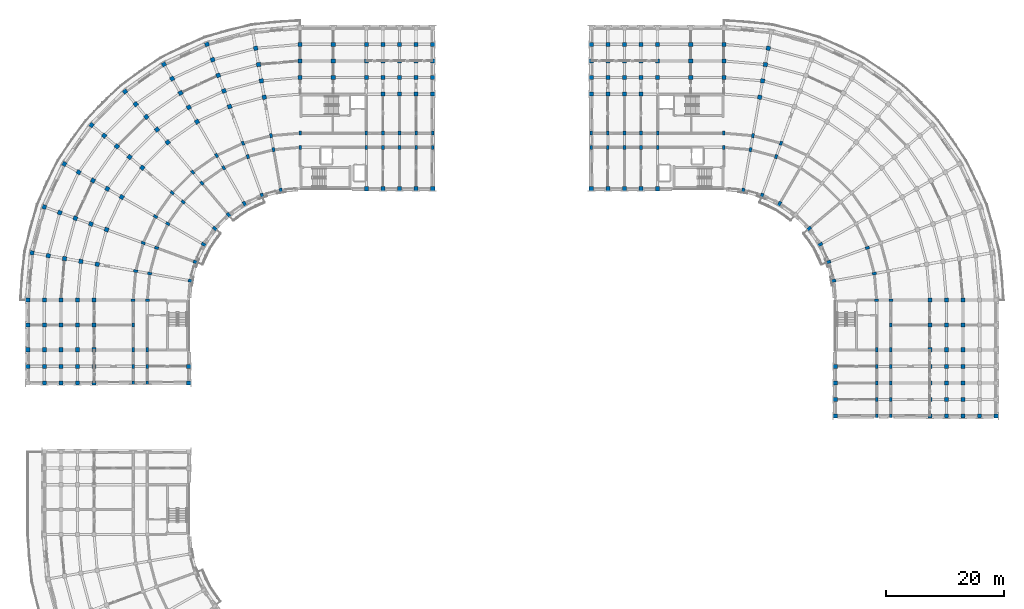
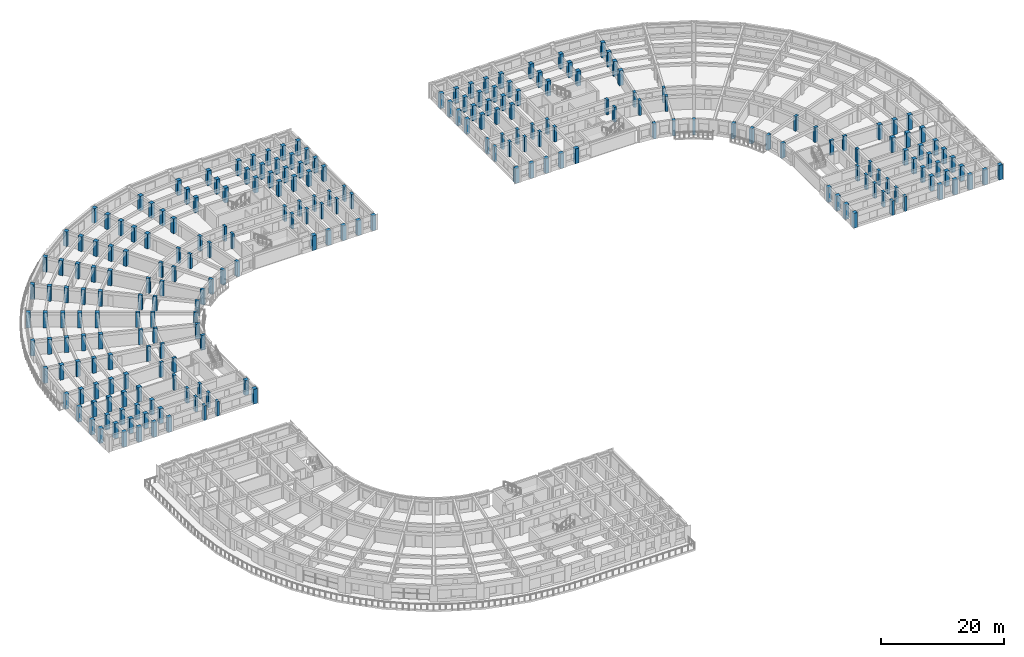
# One storey, part 2 of 57: 239 columns.
"""IFC4 building model written with IfcOpenShell, lengths in metres."""

from ifc_helpers import new_model, si_unit, direction, frame, origin, origin_2d, place, context, subcontext, project, spatial, rectangle, extrude, material, material_profile, profile_set, type_object, element, save


model = new_model("IFC4")

# Units and contexts
model_context = context("Model", 3, precision=1e-05, world=origin(), true_north=direction((0.0, 1.0)))
body_context = subcontext(model_context, "Body", "Model", "MODEL_VIEW")
ifc_project = project(units=[si_unit("LENGTHUNIT", "METRE"), si_unit("AREAUNIT", "SQUARE_METRE"), si_unit("VOLUMEUNIT", "CUBIC_METRE"), si_unit("PLANEANGLEUNIT", "RADIAN"), si_unit("MASSUNIT", "GRAM", prefix="KILO")], contexts=[model_context])

# Site, building, storey
site_placement = place(None, origin())
site = spatial("IfcSite", under=ifc_project, at=site_placement, CompositionType="ELEMENT")
building_placement = place(site_placement, origin())
building = spatial("IfcBuilding", under=site, at=building_placement, Name="Kiranvali Square Residences", CompositionType="ELEMENT")
storey_placement = place(building_placement, frame((0.0, 0.0, 21.300048828125)))
storey = spatial("IfcBuildingStorey", under=building, at=storey_placement, Name="L06", CompositionType="ELEMENT", Elevation=21.300048828125)

# Columns
ifc_material_1 = material(Name="Concrete M45 (45 MPa)", Category="concrete")
ifc_material_profile_1 = material_profile(ifc_material_1, rectangle(XDim=0.699951171875, YDim=0.699951171875, at=origin_2d()), Name="RC 700x700")
ifc_profile_set_1 = profile_set([ifc_material_profile_1], Name="Concrete M45 (45 MPa)")
column_type_1 = type_object("IfcColumnType", Name="COL-M45-700", PredefinedType="COLUMN", material=ifc_profile_set_1)
for number, where, z_axis, x_axis, name in (
    (1, (48.199951171875, 125.39990234375, 0.0), (0.0, 0.0, 1.0), (1.0, 0.0, 0.0), "Block A L06 radial column A00-R4"),
    (2, (48.199951171875, 128.199951171875, 0.0), (0.0, 0.0, 1.0), (1.0, 0.0, 0.0), "Block A L06 radial column A00-R5"),
    (3, (48.199951171875, 131.0, 0.0), (0.0, 0.0, 1.0), (1.0, 0.0, 0.0), "Block A L06 radial column A00-R6"),
    (4, (42.156982421875, 122.0712890625, 0.0), (0.0, 0.0, 1.0), (0.984807753012, 0.173648177667, 0.0), "Block A L06 radial column A01-R3"),
    (5, (41.6708984375, 124.828857421875, 0.0), (0.0, 0.0, 1.0), (0.984807753012, 0.173648177667, 0.0), "Block A L06 radial column A01-R4"),
    (6, (41.1845703125, 127.586181640625, 0.0), (0.0, 0.0, 1.0), (0.984807753012, 0.173648177667, 0.0), "Block A L06 radial column A01-R5"),
    (7, (40.698486328125, 130.34375, 0.0), (0.0, 0.0, 1.0), (0.984807753012, 0.173648177667, 0.0), "Block A L06 radial column A01-R6"),
    (8, (36.297607421875, 120.501220703125, 0.0), (0.0, 0.0, 1.0), (0.939692620786, 0.342020143326, 0.0), "Block A L06 radial column A02-R3"),
    (9, (35.340087890625, 123.13232421875, 0.0), (0.0, 0.0, 1.0), (0.939692620786, 0.342020143326, 0.0), "Block A L06 radial column A02-R4"),
    (10, (34.38232421875, 125.763671875, 0.0), (0.0, 0.0, 1.0), (0.939692620786, 0.342020143326, 0.0), "Block A L06 radial column A02-R5"),
    (11, (33.4248046875, 128.394775390625, 0.0), (0.0, 0.0, 1.0), (0.939692620786, 0.342020143326, 0.0), "Block A L06 radial column A02-R6"),
    (12, (32.467041015625, 131.02587890625, 0.0), (0.0, 0.0, 1.0), (0.939692620786, 0.342020143326, 0.0), "Block A L06 radial column A02-R7"),
    (13, (30.800048828125, 117.937744140625, 0.0), (0.0, 0.0, 1.0), (0.866025403784, 0.5, 0.0), "Block A L06 radial column A03-R3"),
    (14, (29.39990234375, 120.362548828125, 0.0), (0.0, 0.0, 1.0), (0.866025403784, 0.5, 0.0), "Block A L06 radial column A03-R4"),
    (15, (28.0, 122.787353515625, 0.0), (0.0, 0.0, 1.0), (0.866025403784, 0.5, 0.0), "Block A L06 radial column A03-R5"),
    (16, (26.60009765625, 125.21240234375, 0.0), (0.0, 0.0, 1.0), (0.866025403784, 0.5, 0.0), "Block A L06 radial column A03-R6"),
    (17, (25.199951171875, 127.63720703125, 0.0), (0.0, 0.0, 1.0), (0.866025403784, 0.5, 0.0), "Block A L06 radial column A03-R7"),
    (18, (25.8310546875, 114.458251953125, 0.0), (0.0, 0.0, 1.0), (0.766044443119, 0.642787609687, 0.0), "Block A L06 radial column A04-R3"),
    (19, (24.03125, 116.603271484375, 0.0), (0.0, 0.0, 1.0), (0.766044443119, 0.642787609687, 0.0), "Block A L06 radial column A04-R4"),
    (20, (22.2314453125, 118.748291015625, 0.0), (0.0, 0.0, 1.0), (0.766044443119, 0.642787609687, 0.0), "Block A L06 radial column A04-R5"),
    (21, (20.431640625, 120.89306640625, 0.0), (0.0, 0.0, 1.0), (0.766044443119, 0.642787609687, 0.0), "Block A L06 radial column A04-R6"),
    (22, (18.6318359375, 123.0380859375, 0.0), (0.0, 0.0, 1.0), (0.766044443119, 0.642787609687, 0.0), "Block A L06 radial column A04-R7"),
    (23, (21.541748046875, 110.1689453125, 0.0), (0.0, 0.0, 1.0), (0.642787609687, 0.766044443119, 0.0), "Block A L06 radial column A05-R3"),
    (24, (19.396728515625, 111.96875, 0.0), (0.0, 0.0, 1.0), (0.642787609687, 0.766044443119, 0.0), "Block A L06 radial column A05-R4"),
    (25, (17.251708984375, 113.7685546875, 0.0), (0.0, 0.0, 1.0), (0.642787609687, 0.766044443119, 0.0), "Block A L06 radial column A05-R5"),
    (26, (15.10693359375, 115.568359375, 0.0), (0.0, 0.0, 1.0), (0.642787609687, 0.766044443119, 0.0), "Block A L06 radial column A05-R6"),
    (27, (12.9619140625, 117.3681640625, 0.0), (0.0, 0.0, 1.0), (0.642787609687, 0.766044443119, 0.0), "Block A L06 radial column A05-R7"),
    (28, (18.062255859375, 105.199951171875, 0.0), (0.0, 0.0, 1.0), (0.5, 0.866025403784, 0.0), "Block A L06 radial column A06-R3"),
    (29, (15.637451171875, 106.60009765625, 0.0), (0.0, 0.0, 1.0), (0.5, 0.866025403784, 0.0), "Block A L06 radial column A06-R4"),
    (30, (13.212646484375, 108.0, 0.0), (0.0, 0.0, 1.0), (0.5, 0.866025403784, 0.0), "Block A L06 radial column A06-R5"),
    (31, (10.78759765625, 109.39990234375, 0.0), (0.0, 0.0, 1.0), (0.5, 0.866025403784, 0.0), "Block A L06 radial column A06-R6"),
    (32, (8.36279296875, 110.800048828125, 0.0), (0.0, 0.0, 1.0), (0.5, 0.866025403784, 0.0), "Block A L06 radial column A06-R7"),
    (33, (15.498779296875, 99.702392578125, 0.0), (0.0, 0.0, 1.0), (0.342020143326, 0.939692620786, 0.0), "Block A L06 radial column A07-R3"),
    (34, (12.86767578125, 100.659912109375, 0.0), (0.0, 0.0, 1.0), (0.342020143326, 0.939692620786, 0.0), "Block A L06 radial column A07-R4"),
    (35, (10.236328125, 101.61767578125, 0.0), (0.0, 0.0, 1.0), (0.342020143326, 0.939692620786, 0.0), "Block A L06 radial column A07-R5"),
    (36, (7.605224609375, 102.5751953125, 0.0), (0.0, 0.0, 1.0), (0.342020143326, 0.939692620786, 0.0), "Block A L06 radial column A07-R6"),
    (37, (4.97412109375, 103.532958984375, 0.0), (0.0, 0.0, 1.0), (0.342020143326, 0.939692620786, 0.0), "Block A L06 radial column A07-R7"),
    (38, (13.9287109375, 93.843017578125, 0.0), (0.0, 0.0, 1.0), (0.173648177667, 0.984807753012, 0.0), "Block A L06 radial column A08-R3"),
    (39, (11.171142578125, 94.3291015625, 0.0), (0.0, 0.0, 1.0), (0.173648177667, 0.984807753012, 0.0), "Block A L06 radial column A08-R4"),
    (40, (8.413818359375, 94.8154296875, 0.0), (0.0, 0.0, 1.0), (0.173648177667, 0.984807753012, 0.0), "Block A L06 radial column A08-R5"),
    (41, (5.65625, 95.301513671875, 0.0), (0.0, 0.0, 1.0), (0.173648177667, 0.984807753012, 0.0), "Block A L06 radial column A08-R6"),
    (42, (2.89892578125, 95.787841796875, 0.0), (0.0, 0.0, 1.0), (0.173648177667, 0.984807753012, 0.0), "Block A L06 radial column A08-R7"),
    (43, (13.39990234375, 87.800048828125, 0.0), (0.0, 0.0, 1.0), (0.0, 1.0, 0.0), "Block A L06 radial column A09-R3"),
    (44, (10.60009765625, 87.800048828125, 0.0), (0.0, 0.0, 1.0), (0.0, 1.0, 0.0), "Block A L06 radial column A09-R4"),
    (45, (7.800048828125, 87.800048828125, 0.0), (0.0, 0.0, 1.0), (0.0, 1.0, 0.0), "Block A L06 radial column A09-R5"),
    (46, (5.0, 87.800048828125, 0.0), (0.0, 0.0, 1.0), (0.0, 1.0, 0.0), "Block A L06 radial column A09-R6"),
    (47, (2.199951171875, 87.800048828125, 0.0), (0.0, 0.0, 1.0), (0.0, 1.0, 0.0), "Block A L06 radial column A09-R7"),
    (48, (53.800048828125, 125.39990234375, 0.0), (0.0, 0.0, 1.0), (1.0, 0.0, 0.0), "Block A L06 core-front column U0-R4"),
    (49, (53.800048828125, 128.199951171875, 0.0), (0.0, 0.0, 1.0), (1.0, 0.0, 0.0), "Block A L06 core-front column U0-R5"),
    (50, (53.800048828125, 131.0, 0.0), (0.0, 0.0, 1.0), (1.0, 0.0, 0.0), "Block A L06 core-front column U0-R6"),
    (51, (59.39990234375, 106.60009765625, 0.0), (0.0, 0.0, 1.0), (1.0, 0.0, 0.0), "Block A L06 Arm 1 column U1-R0"),
    (52, (59.39990234375, 125.39990234375, 0.0), (0.0, 0.0, 1.0), (1.0, 0.0, 0.0), "Block A L06 Arm 1 column U1-R4"),
    (53, (59.39990234375, 128.199951171875, 0.0), (0.0, 0.0, 1.0), (1.0, 0.0, 0.0), "Block A L06 Arm 1 column U1-R5"),
    (54, (59.39990234375, 131.0, 0.0), (0.0, 0.0, 1.0), (1.0, 0.0, 0.0), "Block A L06 Arm 1 column U1-R6"),
    (55, (62.199951171875, 106.60009765625, 0.0), (0.0, 0.0, 1.0), (1.0, 0.0, 0.0), "Block A L06 Arm 1 column U2-R0"),
    (56, (62.199951171875, 122.60009765625, 0.0), (0.0, 0.0, 1.0), (1.0, 0.0, 0.0), "Block A L06 Arm 1 column U2-R3"),
    (57, (62.199951171875, 125.39990234375, 0.0), (0.0, 0.0, 1.0), (1.0, 0.0, 0.0), "Block A L06 Arm 1 column U2-R4"),
    (58, (62.199951171875, 128.199951171875, 0.0), (0.0, 0.0, 1.0), (1.0, 0.0, 0.0), "Block A L06 Arm 1 column U2-R5"),
    (59, (62.199951171875, 131.0, 0.0), (0.0, 0.0, 1.0), (1.0, 0.0, 0.0), "Block A L06 Arm 1 column U2-R6"),
    (60, (65.0, 106.60009765625, 0.0), (0.0, 0.0, 1.0), (1.0, 0.0, 0.0), "Block A L06 Arm 1 column U3-R0"),
    (61, (65.0, 122.60009765625, 0.0), (0.0, 0.0, 1.0), (1.0, 0.0, 0.0), "Block A L06 Arm 1 column U3-R3"),
    (62, (65.0, 125.39990234375, 0.0), (0.0, 0.0, 1.0), (1.0, 0.0, 0.0), "Block A L06 Arm 1 column U3-R4"),
    (63, (65.0, 128.199951171875, 0.0), (0.0, 0.0, 1.0), (1.0, 0.0, 0.0), "Block A L06 Arm 1 column U3-R5"),
    (64, (65.0, 131.0, 0.0), (0.0, 0.0, 1.0), (1.0, 0.0, 0.0), "Block A L06 Arm 1 column U3-R6"),
    (65, (67.800048828125, 106.60009765625, 0.0), (0.0, 0.0, 1.0), (1.0, 0.0, 0.0), "Block A L06 Arm 1 column U4-R0"),
    (66, (67.800048828125, 122.60009765625, 0.0), (0.0, 0.0, 1.0), (1.0, 0.0, 0.0), "Block A L06 Arm 1 column U4-R3"),
    (67, (67.800048828125, 125.39990234375, 0.0), (0.0, 0.0, 1.0), (1.0, 0.0, 0.0), "Block A L06 Arm 1 column U4-R4"),
    (68, (67.800048828125, 128.199951171875, 0.0), (0.0, 0.0, 1.0), (1.0, 0.0, 0.0), "Block A L06 Arm 1 column U4-R5"),
    (69, (67.800048828125, 131.0, 0.0), (0.0, 0.0, 1.0), (1.0, 0.0, 0.0), "Block A L06 Arm 1 column U4-R6"),
    (70, (70.60009765625, 106.60009765625, 0.0), (0.0, 0.0, 1.0), (1.0, 0.0, 0.0), "Block A L06 Arm 1 column U5-R0"),
    (71, (70.60009765625, 122.60009765625, 0.0), (0.0, 0.0, 1.0), (1.0, 0.0, 0.0), "Block A L06 Arm 1 column U5-R3"),
    (72, (70.60009765625, 125.39990234375, 0.0), (0.0, 0.0, 1.0), (1.0, 0.0, 0.0), "Block A L06 Arm 1 column U5-R4"),
    (73, (70.60009765625, 128.199951171875, 0.0), (0.0, 0.0, 1.0), (1.0, 0.0, 0.0), "Block A L06 Arm 1 column U5-R5"),
    (74, (70.60009765625, 131.0, 0.0), (0.0, 0.0, 1.0), (1.0, 0.0, 0.0), "Block A L06 Arm 1 column U5-R6"),
    (75, (13.39990234375, 83.60009765625, 0.0), (0.0, 0.0, 1.0), (1.0, 0.0, 0.0), "Block A L06 Arm 2 mid-core column V0-R3"),
    (76, (10.60009765625, 83.60009765625, 0.0), (0.0, 0.0, 1.0), (1.0, 0.0, 0.0), "Block A L06 Arm 2 mid-core column V0-R4"),
    (77, (7.800048828125, 83.60009765625, 0.0), (0.0, 0.0, 1.0), (1.0, 0.0, 0.0), "Block A L06 Arm 2 mid-core column V0-R5"),
    (78, (5.0, 83.60009765625, 0.0), (0.0, 0.0, 1.0), (1.0, 0.0, 0.0), "Block A L06 Arm 2 mid-core column V0-R6"),
    (79, (2.199951171875, 83.60009765625, 0.0), (0.0, 0.0, 1.0), (1.0, 0.0, 0.0), "Block A L06 Arm 2 mid-core column V0-R7"),
    (80, (13.39990234375, 79.39990234375, 0.0), (0.0, 0.0, 1.0), (1.0, 0.0, 0.0), "Block A L06 Arm 2 column V1-R3"),
    (81, (10.60009765625, 79.39990234375, 0.0), (0.0, 0.0, 1.0), (1.0, 0.0, 0.0), "Block A L06 Arm 2 column V1-R4"),
    (82, (7.800048828125, 79.39990234375, 0.0), (0.0, 0.0, 1.0), (1.0, 0.0, 0.0), "Block A L06 Arm 2 column V1-R5"),
    (83, (5.0, 79.39990234375, 0.0), (0.0, 0.0, 1.0), (1.0, 0.0, 0.0), "Block A L06 Arm 2 column V1-R6"),
    (84, (2.199951171875, 79.39990234375, 0.0), (0.0, 0.0, 1.0), (1.0, 0.0, 0.0), "Block A L06 Arm 2 column V1-R7"),
    (85, (29.39990234375, 76.60009765625, 0.0), (0.0, 0.0, 1.0), (1.0, 0.0, 0.0), "Block A L06 Arm 2 column V2-R0"),
    (86, (13.39990234375, 76.60009765625, 0.0), (0.0, 0.0, 1.0), (1.0, 0.0, 0.0), "Block A L06 Arm 2 column V2-R3"),
    (87, (10.60009765625, 76.60009765625, 0.0), (0.0, 0.0, 1.0), (1.0, 0.0, 0.0), "Block A L06 Arm 2 column V2-R4"),
    (88, (7.800048828125, 76.60009765625, 0.0), (0.0, 0.0, 1.0), (1.0, 0.0, 0.0), "Block A L06 Arm 2 column V2-R5"),
    (89, (5.0, 76.60009765625, 0.0), (0.0, 0.0, 1.0), (1.0, 0.0, 0.0), "Block A L06 Arm 2 column V2-R6"),
    (90, (2.199951171875, 76.60009765625, 0.0), (0.0, 0.0, 1.0), (1.0, 0.0, 0.0), "Block A L06 Arm 2 column V2-R7"),
    (91, (29.39990234375, 73.800048828125, 0.0), (0.0, 0.0, 1.0), (1.0, 0.0, 0.0), "Block A L06 Arm 2 column V3-R0"),
    (92, (13.39990234375, 73.800048828125, 0.0), (0.0, 0.0, 1.0), (1.0, 0.0, 0.0), "Block A L06 Arm 2 column V3-R3"),
    (93, (10.60009765625, 73.800048828125, 0.0), (0.0, 0.0, 1.0), (1.0, 0.0, 0.0), "Block A L06 Arm 2 column V3-R4"),
    (94, (7.800048828125, 73.800048828125, 0.0), (0.0, 0.0, 1.0), (1.0, 0.0, 0.0), "Block A L06 Arm 2 column V3-R5"),
    (95, (5.0, 73.800048828125, 0.0), (0.0, 0.0, 1.0), (1.0, 0.0, 0.0), "Block A L06 Arm 2 column V3-R6"),
    (96, (119.800048828125, 125.39990234375, 0.0), (0.0, 0.0, 1.0), (1.0, 0.0, 0.0), "Block B L06 radial column A00-R4"),
    (97, (119.800048828125, 128.199951171875, 0.0), (0.0, 0.0, 1.0), (1.0, 0.0, 0.0), "Block B L06 radial column A00-R5"),
    (98, (119.800048828125, 131.0, 0.0), (0.0, 0.0, 1.0), (1.0, 0.0, 0.0), "Block B L06 radial column A00-R6"),
    (99, (125.843017578125, 122.0712890625, 0.0), (0.0, 0.0, 1.0), (-0.984807753012, 0.173648177667, 0.0), "Block B L06 radial column A01-R3"),
    (100, (126.3291015625, 124.828857421875, 0.0), (0.0, 0.0, 1.0), (-0.984807753012, 0.173648177667, 0.0), "Block B L06 radial column A01-R4"),
    (101, (126.8154296875, 127.586181640625, 0.0), (0.0, 0.0, 1.0), (-0.984807753012, 0.173648177667, 0.0), "Block B L06 radial column A01-R5"),
    (102, (127.301513671875, 130.34375, 0.0), (0.0, 0.0, 1.0), (-0.984807753012, 0.173648177667, 0.0), "Block B L06 radial column A01-R6"),
    (103, (154.60009765625, 87.800048828125, 0.0), (0.0, 0.0, 1.0), (0.0, 1.0, 0.0), "Block B L06 radial column A09-R3"),
    (104, (157.39990234375, 87.800048828125, 0.0), (0.0, 0.0, 1.0), (0.0, 1.0, 0.0), "Block B L06 radial column A09-R4"),
    (105, (160.199951171875, 87.800048828125, 0.0), (0.0, 0.0, 1.0), (0.0, 1.0, 0.0), "Block B L06 radial column A09-R5"),
    (106, (114.199951171875, 125.39990234375, 0.0), (0.0, 0.0, 1.0), (1.0, 0.0, 0.0), "Block B L06 core-front column U0-R4"),
    (107, (114.199951171875, 128.199951171875, 0.0), (0.0, 0.0, 1.0), (1.0, 0.0, 0.0), "Block B L06 core-front column U0-R5"),
    (108, (114.199951171875, 131.0, 0.0), (0.0, 0.0, 1.0), (1.0, 0.0, 0.0), "Block B L06 core-front column U0-R6"),
    (109, (108.60009765625, 106.60009765625, 0.0), (0.0, 0.0, 1.0), (1.0, 0.0, 0.0), "Block B L06 Arm 1 column U1-R0"),
    (110, (108.60009765625, 125.39990234375, 0.0), (0.0, 0.0, 1.0), (1.0, 0.0, 0.0), "Block B L06 Arm 1 column U1-R4"),
    (111, (108.60009765625, 128.199951171875, 0.0), (0.0, 0.0, 1.0), (1.0, 0.0, 0.0), "Block B L06 Arm 1 column U1-R5"),
    (112, (108.60009765625, 131.0, 0.0), (0.0, 0.0, 1.0), (1.0, 0.0, 0.0), "Block B L06 Arm 1 column U1-R6"),
    (113, (105.800048828125, 106.60009765625, 0.0), (0.0, 0.0, 1.0), (1.0, 0.0, 0.0), "Block B L06 Arm 1 column U2-R0"),
    (114, (105.800048828125, 122.60009765625, 0.0), (0.0, 0.0, 1.0), (1.0, 0.0, 0.0), "Block B L06 Arm 1 column U2-R3"),
    (115, (105.800048828125, 125.39990234375, 0.0), (0.0, 0.0, 1.0), (1.0, 0.0, 0.0), "Block B L06 Arm 1 column U2-R4"),
    (116, (105.800048828125, 128.199951171875, 0.0), (0.0, 0.0, 1.0), (1.0, 0.0, 0.0), "Block B L06 Arm 1 column U2-R5"),
    (117, (105.800048828125, 131.0, 0.0), (0.0, 0.0, 1.0), (1.0, 0.0, 0.0), "Block B L06 Arm 1 column U2-R6"),
    (118, (103.0, 106.60009765625, 0.0), (0.0, 0.0, 1.0), (1.0, 0.0, 0.0), "Block B L06 Arm 1 column U3-R0"),
    (119, (103.0, 122.60009765625, 0.0), (0.0, 0.0, 1.0), (1.0, 0.0, 0.0), "Block B L06 Arm 1 column U3-R3"),
    (120, (103.0, 125.39990234375, 0.0), (0.0, 0.0, 1.0), (1.0, 0.0, 0.0), "Block B L06 Arm 1 column U3-R4"),
    (121, (103.0, 128.199951171875, 0.0), (0.0, 0.0, 1.0), (1.0, 0.0, 0.0), "Block B L06 Arm 1 column U3-R5"),
    (122, (103.0, 131.0, 0.0), (0.0, 0.0, 1.0), (1.0, 0.0, 0.0), "Block B L06 Arm 1 column U3-R6"),
    (123, (100.199951171875, 106.60009765625, 0.0), (0.0, 0.0, 1.0), (1.0, 0.0, 0.0), "Block B L06 Arm 1 column U4-R0"),
    (124, (100.199951171875, 122.60009765625, 0.0), (0.0, 0.0, 1.0), (1.0, 0.0, 0.0), "Block B L06 Arm 1 column U4-R3"),
    (125, (100.199951171875, 125.39990234375, 0.0), (0.0, 0.0, 1.0), (1.0, 0.0, 0.0), "Block B L06 Arm 1 column U4-R4"),
    (126, (100.199951171875, 128.199951171875, 0.0), (0.0, 0.0, 1.0), (1.0, 0.0, 0.0), "Block B L06 Arm 1 column U4-R5"),
    (127, (100.199951171875, 131.0, 0.0), (0.0, 0.0, 1.0), (1.0, 0.0, 0.0), "Block B L06 Arm 1 column U4-R6"),
    (128, (97.39990234375, 106.60009765625, 0.0), (0.0, 0.0, 1.0), (1.0, 0.0, 0.0), "Block B L06 Arm 1 column U5-R0"),
    (129, (97.39990234375, 122.60009765625, 0.0), (0.0, 0.0, 1.0), (1.0, 0.0, 0.0), "Block B L06 Arm 1 column U5-R3"),
    (130, (97.39990234375, 125.39990234375, 0.0), (0.0, 0.0, 1.0), (1.0, 0.0, 0.0), "Block B L06 Arm 1 column U5-R4"),
    (131, (97.39990234375, 128.199951171875, 0.0), (0.0, 0.0, 1.0), (1.0, 0.0, 0.0), "Block B L06 Arm 1 column U5-R5"),
    (132, (97.39990234375, 131.0, 0.0), (0.0, 0.0, 1.0), (1.0, 0.0, 0.0), "Block B L06 Arm 1 column U5-R6"),
    (133, (154.60009765625, 83.60009765625, 0.0), (0.0, 0.0, 1.0), (1.0, 0.0, 0.0), "Block B L06 Arm 2 mid-core column V0-R3"),
    (134, (157.39990234375, 83.60009765625, 0.0), (0.0, 0.0, 1.0), (1.0, 0.0, 0.0), "Block B L06 Arm 2 mid-core column V0-R4"),
    (135, (160.199951171875, 83.60009765625, 0.0), (0.0, 0.0, 1.0), (1.0, 0.0, 0.0), "Block B L06 Arm 2 mid-core column V0-R5"),
    (136, (154.60009765625, 79.39990234375, 0.0), (0.0, 0.0, 1.0), (1.0, 0.0, 0.0), "Block B L06 Arm 2 column V1-R3"),
    (137, (157.39990234375, 79.39990234375, 0.0), (0.0, 0.0, 1.0), (1.0, 0.0, 0.0), "Block B L06 Arm 2 column V1-R4"),
    (138, (160.199951171875, 79.39990234375, 0.0), (0.0, 0.0, 1.0), (1.0, 0.0, 0.0), "Block B L06 Arm 2 column V1-R5"),
    (139, (138.60009765625, 76.60009765625, 0.0), (0.0, 0.0, 1.0), (1.0, 0.0, 0.0), "Block B L06 Arm 2 column V2-R0"),
    (140, (154.60009765625, 76.60009765625, 0.0), (0.0, 0.0, 1.0), (1.0, 0.0, 0.0), "Block B L06 Arm 2 column V2-R3"),
    (141, (157.39990234375, 76.60009765625, 0.0), (0.0, 0.0, 1.0), (1.0, 0.0, 0.0), "Block B L06 Arm 2 column V2-R4"),
    (142, (160.199951171875, 76.60009765625, 0.0), (0.0, 0.0, 1.0), (1.0, 0.0, 0.0), "Block B L06 Arm 2 column V2-R5"),
    (143, (138.60009765625, 73.800048828125, 0.0), (0.0, 0.0, 1.0), (1.0, 0.0, 0.0), "Block B L06 Arm 2 column V3-R0"),
    (144, (154.60009765625, 73.800048828125, 0.0), (0.0, 0.0, 1.0), (1.0, 0.0, 0.0), "Block B L06 Arm 2 column V3-R3"),
    (145, (157.39990234375, 73.800048828125, 0.0), (0.0, 0.0, 1.0), (1.0, 0.0, 0.0), "Block B L06 Arm 2 column V3-R4"),
    (146, (160.199951171875, 73.800048828125, 0.0), (0.0, 0.0, 1.0), (1.0, 0.0, 0.0), "Block B L06 Arm 2 column V3-R5"),
    (147, (138.60009765625, 71.0, 0.0), (0.0, 0.0, 1.0), (1.0, 0.0, 0.0), "Block B L06 Arm 2 column V4-R0"),
    (148, (154.60009765625, 71.0, 0.0), (0.0, 0.0, 1.0), (1.0, 0.0, 0.0), "Block B L06 Arm 2 column V4-R3"),
    (149, (157.39990234375, 71.0, 0.0), (0.0, 0.0, 1.0), (1.0, 0.0, 0.0), "Block B L06 Arm 2 column V4-R4"),
    (150, (160.199951171875, 71.0, 0.0), (0.0, 0.0, 1.0), (1.0, 0.0, 0.0), "Block B L06 Arm 2 column V4-R5"),
    (151, (138.60009765625, 68.199951171875, 0.0), (0.0, 0.0, 1.0), (1.0, 0.0, 0.0), "Block B L06 Arm 2 column V5-R0"),
    (152, (154.60009765625, 68.199951171875, 0.0), (0.0, 0.0, 1.0), (1.0, 0.0, 0.0), "Block B L06 Arm 2 column V5-R3"),
    (153, (157.39990234375, 68.199951171875, 0.0), (0.0, 0.0, 1.0), (1.0, 0.0, 0.0), "Block B L06 Arm 2 column V5-R4"),
    (154, (160.199951171875, 68.199951171875, 0.0), (0.0, 0.0, 1.0), (1.0, 0.0, 0.0), "Block B L06 Arm 2 column V5-R5"),
    (155, (163.0, 68.199951171875, 0.0), (0.0, 0.0, 1.0), (1.0, 0.0, 0.0), "Block B L06 Arm 2 column V5-R6"),
    (156, (165.800048828125, 68.199951171875, 0.0), (0.0, 0.0, 1.0), (1.0, 0.0, 0.0), "Block B L06 Arm 2 column V5-R7"),
):
    element("IfcColumn", number, at=place(storey_placement, frame(where, z_axis=z_axis, x_axis=x_axis)), inside=storey, type_object=column_type_1, Name=name, PredefinedType="COLUMN", context=body_context, shape_type="SweptSolid", body=[
        extrude(rectangle(XDim=0.699951171875, YDim=0.699951171875, at=origin_2d()), origin(), (0.0, 0.0, 1.0), 2.929931640625),
    ])
ifc_material_profile_2 = material_profile(ifc_material_1, rectangle(XDim=0.449951171875, YDim=0.699951171875, at=origin_2d()), Name="RC 700x450")
ifc_profile_set_2 = profile_set([ifc_material_profile_2], Name="Concrete M45 (45 MPa)")
column_type_2 = type_object("IfcColumnType", Name="COL-M45-700x450", PredefinedType="COLUMN", material=ifc_profile_set_2)
for number, where, z_axis, x_axis, name in (
    (157, (48.199951171875, 113.60009765625, 0.0), (0.0, 0.0, 1.0), (1.0, 0.0, 0.0), "Block A L06 radial column A00-R1"),
    (158, (48.199951171875, 116.0, 0.0), (0.0, 0.0, 1.0), (1.0, 0.0, 0.0), "Block A L06 radial column A00-R2"),
    (159, (43.719970703125, 113.2080078125, 0.0), (0.0, 0.0, 1.0), (0.984807753012, 0.173648177667, 0.0), "Block A L06 radial column A01-R1"),
    (160, (43.30322265625, 115.571533203125, 0.0), (0.0, 0.0, 1.0), (0.984807753012, 0.173648177667, 0.0), "Block A L06 radial column A01-R2"),
    (161, (39.3759765625, 112.044189453125, 0.0), (0.0, 0.0, 1.0), (0.939692620786, 0.342020143326, 0.0), "Block A L06 radial column A02-R1"),
    (162, (38.554931640625, 114.29931640625, 0.0), (0.0, 0.0, 1.0), (0.939692620786, 0.342020143326, 0.0), "Block A L06 radial column A02-R2"),
    (163, (35.300048828125, 110.1435546875, 0.0), (0.0, 0.0, 1.0), (0.866025403784, 0.5, 0.0), "Block A L06 radial column A03-R1"),
    (164, (34.10009765625, 112.221923828125, 0.0), (0.0, 0.0, 1.0), (0.866025403784, 0.5, 0.0), "Block A L06 radial column A03-R2"),
    (165, (31.615966796875, 107.56396484375, 0.0), (0.0, 0.0, 1.0), (0.766044443119, 0.642787609687, 0.0), "Block A L06 radial column A04-R1"),
    (166, (30.073486328125, 109.40234375, 0.0), (0.0, 0.0, 1.0), (0.766044443119, 0.642787609687, 0.0), "Block A L06 radial column A04-R2"),
    (167, (28.43603515625, 104.384033203125, 0.0), (0.0, 0.0, 1.0), (0.642787609687, 0.766044443119, 0.0), "Block A L06 radial column A05-R1"),
    (168, (26.59765625, 105.926513671875, 0.0), (0.0, 0.0, 1.0), (0.642787609687, 0.766044443119, 0.0), "Block A L06 radial column A05-R2"),
    (169, (25.8564453125, 100.699951171875, 0.0), (0.0, 0.0, 1.0), (0.5, 0.866025403784, 0.0), "Block A L06 radial column A06-R1"),
    (170, (23.778076171875, 101.89990234375, 0.0), (0.0, 0.0, 1.0), (0.5, 0.866025403784, 0.0), "Block A L06 radial column A06-R2"),
    (171, (23.955810546875, 96.6240234375, 0.0), (0.0, 0.0, 1.0), (0.342020143326, 0.939692620786, 0.0), "Block A L06 radial column A07-R1"),
    (172, (21.70068359375, 97.445068359375, 0.0), (0.0, 0.0, 1.0), (0.342020143326, 0.939692620786, 0.0), "Block A L06 radial column A07-R2"),
    (173, (22.7919921875, 92.280029296875, 0.0), (0.0, 0.0, 1.0), (0.173648177667, 0.984807753012, 0.0), "Block A L06 radial column A08-R1"),
    (174, (20.428466796875, 92.69677734375, 0.0), (0.0, 0.0, 1.0), (0.173648177667, 0.984807753012, 0.0), "Block A L06 radial column A08-R2"),
    (175, (22.39990234375, 87.800048828125, 0.0), (0.0, 0.0, 1.0), (0.0, 1.0, 0.0), "Block A L06 radial column A09-R1"),
    (176, (20.0, 87.800048828125, 0.0), (0.0, 0.0, 1.0), (0.0, 1.0, 0.0), "Block A L06 radial column A09-R2"),
    (177, (59.39990234375, 113.60009765625, 0.0), (0.0, 0.0, 1.0), (1.0, 0.0, 0.0), "Block A L06 Arm 1 column U1-R1"),
    (178, (59.39990234375, 116.0, 0.0), (0.0, 0.0, 1.0), (1.0, 0.0, 0.0), "Block A L06 Arm 1 column U1-R2"),
    (179, (62.199951171875, 113.60009765625, 0.0), (0.0, 0.0, 1.0), (1.0, 0.0, 0.0), "Block A L06 Arm 1 column U2-R1"),
    (180, (62.199951171875, 116.0, 0.0), (0.0, 0.0, 1.0), (1.0, 0.0, 0.0), "Block A L06 Arm 1 column U2-R2"),
    (181, (65.0, 113.60009765625, 0.0), (0.0, 0.0, 1.0), (1.0, 0.0, 0.0), "Block A L06 Arm 1 column U3-R1"),
    (182, (65.0, 116.0, 0.0), (0.0, 0.0, 1.0), (1.0, 0.0, 0.0), "Block A L06 Arm 1 column U3-R2"),
    (183, (67.800048828125, 113.60009765625, 0.0), (0.0, 0.0, 1.0), (1.0, 0.0, 0.0), "Block A L06 Arm 1 column U4-R1"),
    (184, (67.800048828125, 116.0, 0.0), (0.0, 0.0, 1.0), (1.0, 0.0, 0.0), "Block A L06 Arm 1 column U4-R2"),
    (185, (70.60009765625, 113.60009765625, 0.0), (0.0, 0.0, 1.0), (1.0, 0.0, 0.0), "Block A L06 Arm 1 column U5-R1"),
    (186, (70.60009765625, 116.0, 0.0), (0.0, 0.0, 1.0), (1.0, 0.0, 0.0), "Block A L06 Arm 1 column U5-R2"),
    (187, (20.0, 83.60009765625, 0.0), (0.0, 0.0, 1.0), (1.0, 0.0, 0.0), "Block A L06 Arm 2 mid-core column V0-R2"),
    (188, (22.39990234375, 79.39990234375, 0.0), (0.0, 0.0, 1.0), (1.0, 0.0, 0.0), "Block A L06 Arm 2 column V1-R1"),
    (189, (20.0, 79.39990234375, 0.0), (0.0, 0.0, 1.0), (1.0, 0.0, 0.0), "Block A L06 Arm 2 column V1-R2"),
    (190, (22.39990234375, 76.60009765625, 0.0), (0.0, 0.0, 1.0), (1.0, 0.0, 0.0), "Block A L06 Arm 2 column V2-R1"),
    (191, (20.0, 76.60009765625, 0.0), (0.0, 0.0, 1.0), (1.0, 0.0, 0.0), "Block A L06 Arm 2 column V2-R2"),
    (192, (22.39990234375, 73.800048828125, 0.0), (0.0, 0.0, 1.0), (1.0, 0.0, 0.0), "Block A L06 Arm 2 column V3-R1"),
    (193, (20.0, 73.800048828125, 0.0), (0.0, 0.0, 1.0), (1.0, 0.0, 0.0), "Block A L06 Arm 2 column V3-R2"),
    (194, (119.800048828125, 113.60009765625, 0.0), (0.0, 0.0, 1.0), (1.0, 0.0, 0.0), "Block B L06 radial column A00-R1"),
    (195, (119.800048828125, 116.0, 0.0), (0.0, 0.0, 1.0), (1.0, 0.0, 0.0), "Block B L06 radial column A00-R2"),
    (196, (124.280029296875, 113.2080078125, 0.0), (0.0, 0.0, 1.0), (-0.984807753012, 0.173648177667, 0.0), "Block B L06 radial column A01-R1"),
    (197, (124.69677734375, 115.571533203125, 0.0), (0.0, 0.0, 1.0), (-0.984807753012, 0.173648177667, 0.0), "Block B L06 radial column A01-R2"),
    (198, (128.6240234375, 112.044189453125, 0.0), (0.0, 0.0, 1.0), (-0.939692620786, 0.342020143326, 0.0), "Block B L06 radial column A02-R1"),
    (199, (129.445068359375, 114.29931640625, 0.0), (0.0, 0.0, 1.0), (-0.939692620786, 0.342020143326, 0.0), "Block B L06 radial column A02-R2"),
    (200, (144.044189453125, 96.6240234375, 0.0), (0.0, 0.0, 1.0), (-0.342020143326, 0.939692620786, 0.0), "Block B L06 radial column A07-R1"),
    (201, (145.2080078125, 92.280029296875, 0.0), (0.0, 0.0, 1.0), (-0.173648177667, 0.984807753012, 0.0), "Block B L06 radial column A08-R1"),
    (202, (145.60009765625, 87.800048828125, 0.0), (0.0, 0.0, 1.0), (0.0, 1.0, 0.0), "Block B L06 radial column A09-R1"),
    (203, (148.0, 87.800048828125, 0.0), (0.0, 0.0, 1.0), (0.0, 1.0, 0.0), "Block B L06 radial column A09-R2"),
    (204, (108.60009765625, 113.60009765625, 0.0), (0.0, 0.0, 1.0), (1.0, 0.0, 0.0), "Block B L06 Arm 1 column U1-R1"),
    (205, (108.60009765625, 116.0, 0.0), (0.0, 0.0, 1.0), (1.0, 0.0, 0.0), "Block B L06 Arm 1 column U1-R2"),
    (206, (105.800048828125, 113.60009765625, 0.0), (0.0, 0.0, 1.0), (1.0, 0.0, 0.0), "Block B L06 Arm 1 column U2-R1"),
    (207, (105.800048828125, 116.0, 0.0), (0.0, 0.0, 1.0), (1.0, 0.0, 0.0), "Block B L06 Arm 1 column U2-R2"),
    (208, (103.0, 113.60009765625, 0.0), (0.0, 0.0, 1.0), (1.0, 0.0, 0.0), "Block B L06 Arm 1 column U3-R1"),
    (209, (103.0, 116.0, 0.0), (0.0, 0.0, 1.0), (1.0, 0.0, 0.0), "Block B L06 Arm 1 column U3-R2"),
    (210, (100.199951171875, 113.60009765625, 0.0), (0.0, 0.0, 1.0), (1.0, 0.0, 0.0), "Block B L06 Arm 1 column U4-R1"),
    (211, (100.199951171875, 116.0, 0.0), (0.0, 0.0, 1.0), (1.0, 0.0, 0.0), "Block B L06 Arm 1 column U4-R2"),
    (212, (97.39990234375, 113.60009765625, 0.0), (0.0, 0.0, 1.0), (1.0, 0.0, 0.0), "Block B L06 Arm 1 column U5-R1"),
    (213, (97.39990234375, 116.0, 0.0), (0.0, 0.0, 1.0), (1.0, 0.0, 0.0), "Block B L06 Arm 1 column U5-R2"),
    (214, (148.0, 83.60009765625, 0.0), (0.0, 0.0, 1.0), (1.0, 0.0, 0.0), "Block B L06 Arm 2 mid-core column V0-R2"),
    (215, (145.60009765625, 79.39990234375, 0.0), (0.0, 0.0, 1.0), (1.0, 0.0, 0.0), "Block B L06 Arm 2 column V1-R1"),
    (216, (148.0, 79.39990234375, 0.0), (0.0, 0.0, 1.0), (1.0, 0.0, 0.0), "Block B L06 Arm 2 column V1-R2"),
    (217, (145.60009765625, 76.60009765625, 0.0), (0.0, 0.0, 1.0), (1.0, 0.0, 0.0), "Block B L06 Arm 2 column V2-R1"),
    (218, (148.0, 76.60009765625, 0.0), (0.0, 0.0, 1.0), (1.0, 0.0, 0.0), "Block B L06 Arm 2 column V2-R2"),
    (219, (145.60009765625, 73.800048828125, 0.0), (0.0, 0.0, 1.0), (1.0, 0.0, 0.0), "Block B L06 Arm 2 column V3-R1"),
    (220, (148.0, 73.800048828125, 0.0), (0.0, 0.0, 1.0), (1.0, 0.0, 0.0), "Block B L06 Arm 2 column V3-R2"),
    (221, (145.60009765625, 71.0, 0.0), (0.0, 0.0, 1.0), (1.0, 0.0, 0.0), "Block B L06 Arm 2 column V4-R1"),
    (222, (148.0, 71.0, 0.0), (0.0, 0.0, 1.0), (1.0, 0.0, 0.0), "Block B L06 Arm 2 column V4-R2"),
    (223, (145.60009765625, 68.199951171875, 0.0), (0.0, 0.0, 1.0), (1.0, 0.0, 0.0), "Block B L06 Arm 2 column V5-R1"),
    (224, (148.0, 68.199951171875, 0.0), (0.0, 0.0, 1.0), (1.0, 0.0, 0.0), "Block B L06 Arm 2 column V5-R2"),
):
    element("IfcColumn", number, at=place(storey_placement, frame(where, z_axis=z_axis, x_axis=x_axis)), inside=storey, type_object=column_type_2, Name=name, PredefinedType="COLUMN", context=body_context, shape_type="SweptSolid", body=[
        extrude(rectangle(XDim=0.449951171875, YDim=0.699951171875, at=origin_2d()), origin(), (0.0, 0.0, 1.0), 2.929931640625),
    ])
ifc_material_2 = material(Name="Concrete M50 (50 MPa)", Category="concrete")
ifc_material_profile_3 = material_profile(ifc_material_2, rectangle(XDim=0.5, YDim=0.800048828125, at=origin_2d()), Name="RC 800x500")
ifc_profile_set_3 = profile_set([ifc_material_profile_3], Name="Concrete M50 (50 MPa)")
column_type_3 = type_object("IfcColumnType", Name="COL-M50-800x500", PredefinedType="COLUMN", material=ifc_profile_set_3)
for number, where, z_axis, x_axis, name in (
    (225, (44.935302734375, 106.314453125, 0.0), (0.0, 0.0, 1.0), (0.984807753012, 0.173648177667, 0.0), "Block A L06 radial column A01-R0"),
    (226, (41.77001953125, 105.46630859375, 0.0), (0.0, 0.0, 1.0), (0.939692620786, 0.342020143326, 0.0), "Block A L06 radial column A02-R0"),
    (227, (38.800048828125, 104.081298828125, 0.0), (0.0, 0.0, 1.0), (0.866025403784, 0.5, 0.0), "Block A L06 radial column A03-R0"),
    (228, (36.115478515625, 102.20166015625, 0.0), (0.0, 0.0, 1.0), (0.766044443119, 0.642787609687, 0.0), "Block A L06 radial column A04-R0"),
    (229, (33.79833984375, 99.884521484375, 0.0), (0.0, 0.0, 1.0), (0.642787609687, 0.766044443119, 0.0), "Block A L06 radial column A05-R0"),
    (230, (31.918701171875, 97.199951171875, 0.0), (0.0, 0.0, 1.0), (0.5, 0.866025403784, 0.0), "Block A L06 radial column A06-R0"),
    (231, (30.53369140625, 94.22998046875, 0.0), (0.0, 0.0, 1.0), (0.342020143326, 0.939692620786, 0.0), "Block A L06 radial column A07-R0"),
    (232, (29.685546875, 91.064697265625, 0.0), (0.0, 0.0, 1.0), (0.173648177667, 0.984807753012, 0.0), "Block A L06 radial column A08-R0"),
    (233, (123.064697265625, 106.314453125, 0.0), (0.0, 0.0, 1.0), (-0.984807753012, 0.173648177667, 0.0), "Block B L06 radial column A01-R0"),
    (234, (126.22998046875, 105.46630859375, 0.0), (0.0, 0.0, 1.0), (-0.939692620786, 0.342020143326, 0.0), "Block B L06 radial column A02-R0"),
    (235, (129.199951171875, 104.081298828125, 0.0), (0.0, 0.0, 1.0), (-0.866025403784, 0.5, 0.0), "Block B L06 radial column A03-R0"),
    (236, (134.20166015625, 99.884521484375, 0.0), (0.0, 0.0, 1.0), (-0.642787609687, 0.766044443119, 0.0), "Block B L06 radial column A05-R0"),
    (237, (136.081298828125, 97.199951171875, 0.0), (0.0, 0.0, 1.0), (-0.5, 0.866025403784, 0.0), "Block B L06 radial column A06-R0"),
    (238, (137.46630859375, 94.22998046875, 0.0), (0.0, 0.0, 1.0), (-0.342020143326, 0.939692620786, 0.0), "Block B L06 radial column A07-R0"),
    (239, (138.314453125, 91.064697265625, 0.0), (0.0, 0.0, 1.0), (-0.173648177667, 0.984807753012, 0.0), "Block B L06 radial column A08-R0"),
):
    element("IfcColumn", number, at=place(storey_placement, frame(where, z_axis=z_axis, x_axis=x_axis)), inside=storey, type_object=column_type_3, Name=name, PredefinedType="COLUMN", context=body_context, shape_type="SweptSolid", body=[
        extrude(rectangle(XDim=0.5, YDim=0.800048828125, at=origin_2d()), origin(), (0.0, 0.0, 1.0), 2.929931640625),
    ])

save(model, "model.ifc")
